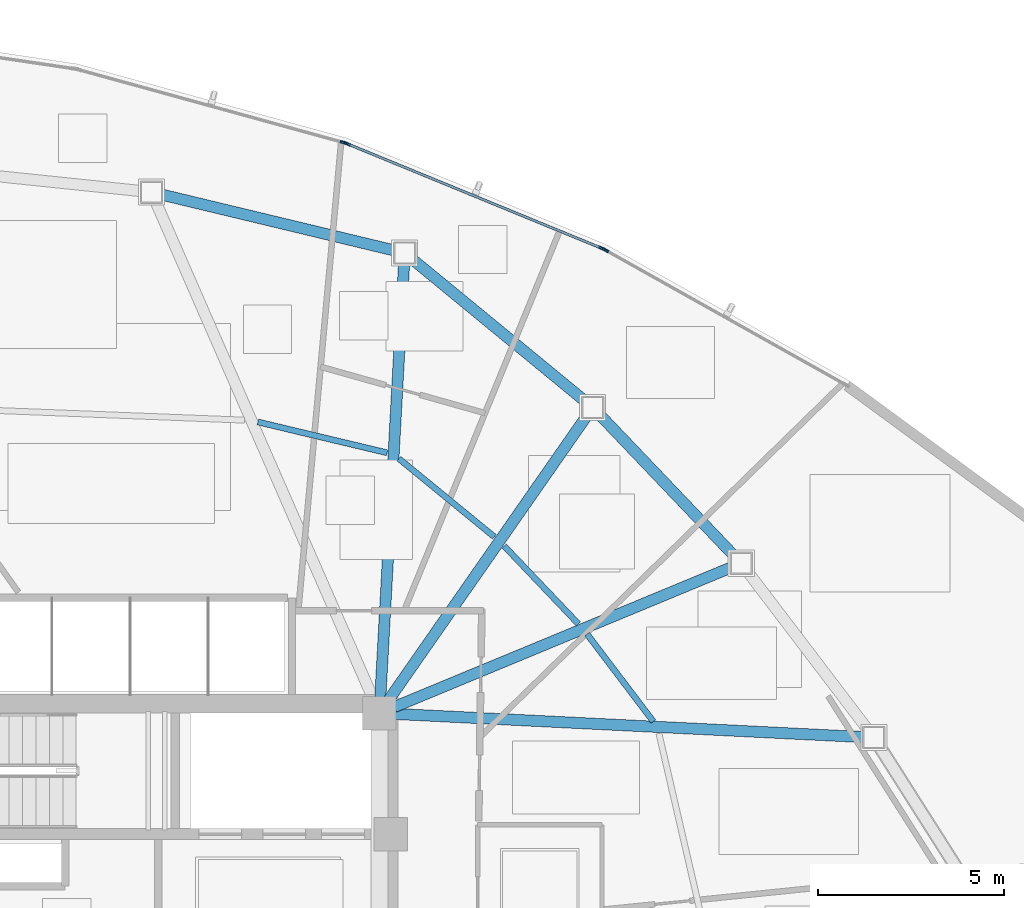
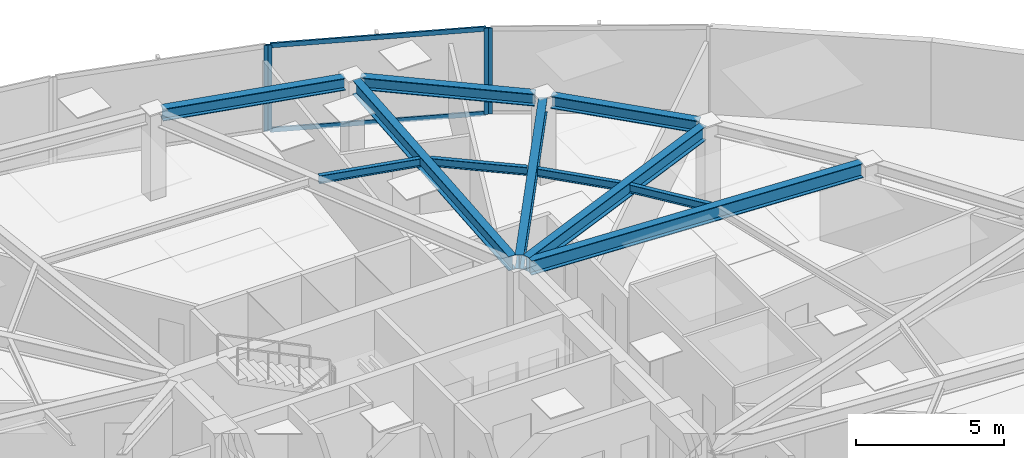
# One storey, part 8 of 18: 11 beams, 6 members, 3 elements without a shape of their own.
"""IFC4 building model written with IfcOpenShell, lengths in metres."""

from ifc_helpers import new_model, si_unit, direction, frame, origin, origin_2d, place, context, subcontext, project, spatial, hollow_rectangle, i_section, extrude, source, transform, mapped, material, layer, layer_set, material_profile, profile_set, type_object, type_shapes, element, aggregate, save


model = new_model("IFC4")

# Units and contexts
model_context = context("Model", 3, precision=1e-05, world=origin(), true_north=direction((0.0, 1.0)))
body_context = subcontext(model_context, "Body", "Model", "MODEL_VIEW")
ifc_project = project(units=[si_unit("LENGTHUNIT", "METRE"), si_unit("AREAUNIT", "SQUARE_METRE"), si_unit("VOLUMEUNIT", "CUBIC_METRE"), si_unit("PLANEANGLEUNIT", "RADIAN"), si_unit("MASSUNIT", "GRAM", prefix="KILO")], contexts=[model_context])

# Site, building, storey
site_placement = place(None, origin())
site = spatial("IfcSite", under=ifc_project, at=site_placement, CompositionType="ELEMENT")
building_placement = place(site_placement, origin())
building = spatial("IfcBuilding", under=site, at=building_placement, Name="Tavelor Broadcast Tower", CompositionType="ELEMENT")
storey_placement = place(building_placement, frame((0.0, 0.0, 177.199951171875)))
storey = spatial("IfcBuildingStorey", under=building, at=storey_placement, Name="L42", CompositionType="ELEMENT", Elevation=177.199951171875)

# Beams
ifc_material_1 = material(Name="Steel S355", Category="steel")
ifc_material_profile_1 = material_profile(ifc_material_1, i_section(OverallWidth=0.159912109375, OverallDepth=0.330078125, WebThickness=0.007568359375, FlangeThickness=0.011474609375, at=origin_2d()), Name="IPE 330")
ifc_profile_set_1 = profile_set([ifc_material_profile_1], Name="Steel S355")
beam_type_1 = type_object("IfcBeamType", Name="Composite Floor Joist T4 IPE 330", PredefinedType="JOIST", material=ifc_profile_set_1)
beam_1_placement = place(storey_placement, frame((63.959716796875, 50.9755859375, 3.385009765625), z_axis=(-0.604116162247, 0.796896268351, 0.0), x_axis=(-0.796896268351, -0.604116162247, 0.0)))
element("IfcBeam", 1, at=beam_1_placement, inside=storey, type_object=beam_type_1, Name="L42 Secondary Composite Floor Joist 14", PredefinedType="JOIST", context=body_context, shape_type="SweptSolid", body=[
    extrude(i_section(OverallWidth=0.159912109375, OverallDepth=0.330078125, WebThickness=0.007568359375, FlangeThickness=0.011474609375, at=origin_2d()), origin(), (0.0, 0.0, 1.0), 2.94580078125),
])
beam_2_placement = place(storey_placement, frame((61.946044921875, 53.59814453125, 3.385009765625), z_axis=(-0.689642531817, 0.724149969487, 0.0), x_axis=(-0.724149969487, -0.689642531817, 0.0)))
element("IfcBeam", 2, at=beam_2_placement, inside=storey, type_object=beam_type_1, Name="L42 Secondary Composite Floor Joist 15", PredefinedType="JOIST", context=body_context, shape_type="SweptSolid", body=[
    extrude(i_section(OverallWidth=0.159912109375, OverallDepth=0.330078125, WebThickness=0.007568359375, FlangeThickness=0.011474609375, at=origin_2d()), origin(), (0.0, 0.0, 1.0), 2.893798828125),
])
beam_3_placement = place(storey_placement, frame((59.685791015625, 55.939453125, 3.385009765625), z_axis=(-0.773655391446, 0.633606609251, 0.0), x_axis=(-0.633606609251, -0.773655391446, 0.0)))
element("IfcBeam", 3, at=beam_3_placement, inside=storey, type_object=beam_type_1, Name="L42 Secondary Composite Floor Joist 16", PredefinedType="JOIST", context=body_context, shape_type="SweptSolid", body=[
    extrude(i_section(OverallWidth=0.159912109375, OverallDepth=0.330078125, WebThickness=0.007568359375, FlangeThickness=0.011474609375, at=origin_2d()), origin(), (0.0, 0.0, 1.0), 3.315673828125),
])
beam_4_placement = place(storey_placement, frame((56.804443359375, 58.197021484375, 3.385009765625), z_axis=(-0.972674676245, 0.232172294196, 0.0), x_axis=(-0.232172294196, -0.972674676245, 0.0)))
element("IfcBeam", 4, at=beam_4_placement, inside=storey, type_object=beam_type_1, Name="L42 Secondary Composite Floor Joist 17", PredefinedType="JOIST", context=body_context, shape_type="SweptSolid", body=[
    extrude(i_section(OverallWidth=0.159912109375, OverallDepth=0.330078125, WebThickness=0.007568359375, FlangeThickness=0.011474609375, at=origin_2d()), origin(), (0.0, 0.0, 1.0), 3.56884765625),
])
ifc_material_profile_2 = material_profile(ifc_material_1, i_section(OverallWidth=0.300048828125, OverallDepth=0.5, WebThickness=0.014404296875, FlangeThickness=0.028076171875, at=origin_2d()), Name="HEB 500")
ifc_profile_set_2 = profile_set([ifc_material_profile_2], Name="Steel S355")
beam_type_2 = type_object("IfcBeamType", Name="Perimeter Spandrel Beam T4 HEB 500", PredefinedType="SPANDREL", material=ifc_profile_set_2)
beam_5_placement = place(storey_placement, frame((66.123291015625, 55.437255859375, 3.300048828125), z_axis=(-0.689936010055, 0.723870362723, 0.0), x_axis=(-0.723870362723, -0.689936010055, 0.0)))
element("IfcBeam", 5, at=beam_5_placement, inside=storey, type_object=beam_type_2, Name="L42 Framed-Tube Ring Spandrel 15", PredefinedType="SPANDREL", context=body_context, shape_type="SweptSolid", body=[
    extrude(i_section(OverallWidth=0.300048828125, OverallDepth=0.5, WebThickness=0.014404296875, FlangeThickness=0.028076171875, at=origin_2d()), origin(), (0.0, 0.0, 1.0), 5.208740234375),
])
beam_6_placement = place(storey_placement, frame((62.1083984375, 59.59912109375, 3.300048828125), z_axis=(-0.772717651191, 0.634749896839, 0.0), x_axis=(-0.634749896839, -0.772717651191, 0.0)))
element("IfcBeam", 6, at=beam_6_placement, inside=storey, type_object=beam_type_2, Name="L42 Framed-Tube Ring Spandrel 16", PredefinedType="SPANDREL", context=body_context, shape_type="SweptSolid", body=[
    extrude(i_section(OverallWidth=0.300048828125, OverallDepth=0.5, WebThickness=0.014404296875, FlangeThickness=0.028076171875, at=origin_2d()), origin(), (0.0, 0.0, 1.0), 5.965087890625),
])
beam_7_placement = place(storey_placement, frame((56.99658203125, 63.635498046875, 3.300048828125), z_axis=(-0.972354853411, 0.233508113452, 0.0), x_axis=(-0.233508113452, -0.972354853411, 0.0)))
element("IfcBeam", 7, at=beam_7_placement, inside=storey, type_object=beam_type_2, Name="L42 Framed-Tube Ring Spandrel 17", PredefinedType="SPANDREL", context=body_context, shape_type="SweptSolid", body=[
    extrude(i_section(OverallWidth=0.300048828125, OverallDepth=0.5, WebThickness=0.014404296875, FlangeThickness=0.028076171875, at=origin_2d()), origin(), (0.0, 0.0, 1.0), 6.421630859375),
])
ifc_material_profile_3 = material_profile(ifc_material_1, i_section(OverallWidth=0.300048828125, OverallDepth=0.590087890625, WebThickness=0.012939453125, FlangeThickness=0.02490234375, at=origin_2d()), Name="HEA 600")
ifc_profile_set_3 = profile_set([ifc_material_profile_3], Name="Steel S355")
beam_type_3 = type_object("IfcBeamType", Name="Radial Floor Girder T4 HEA 600", PredefinedType="BEAM", material=ifc_profile_set_3)
beam_8_placement = place(storey_placement, frame((57.031494140625, 51.1787109375, 3.255126953125), z_axis=(0.998783784198, -0.049304689662, 0.0), x_axis=(0.049304689662, 0.998783784198, 0.0)))
element("IfcBeam", 8, at=beam_8_placement, inside=storey, type_object=beam_type_3, Name="L42 Radial Primary Floor Girder 14", PredefinedType="BEAM", context=body_context, shape_type="SweptSolid", body=[
    extrude(i_section(OverallWidth=0.300048828125, OverallDepth=0.590087890625, WebThickness=0.012939453125, FlangeThickness=0.02490234375, at=origin_2d()), origin(), (0.0, 0.0, 1.0), 12.582275390625),
])
beam_9_placement = place(storey_placement, frame((56.9990234375, 51.365478515625, 3.255126953125), z_axis=(0.923827405628, 0.38280925356, 0.0), x_axis=(-0.38280925356, 0.923827405628, 0.0)))
element("IfcBeam", 9, at=beam_9_placement, inside=storey, type_object=beam_type_3, Name="L42 Radial Primary Floor Girder 15", PredefinedType="BEAM", context=body_context, shape_type="SweptSolid", body=[
    extrude(i_section(OverallWidth=0.300048828125, OverallDepth=0.590087890625, WebThickness=0.012939453125, FlangeThickness=0.02490234375, at=origin_2d()), origin(), (0.0, 0.0, 1.0), 9.8037109375),
])
beam_10_placement = place(storey_placement, frame((56.84716796875, 51.55419921875, 3.255126953125), z_axis=(0.572078083908, 0.820199162346, 0.0), x_axis=(-0.820199162346, 0.572078083908, 0.0)))
element("IfcBeam", 10, at=beam_10_placement, inside=storey, type_object=beam_type_3, Name="L42 Radial Primary Floor Girder 16", PredefinedType="BEAM", context=body_context, shape_type="SweptSolid", body=[
    extrude(i_section(OverallWidth=0.300048828125, OverallDepth=0.590087890625, WebThickness=0.012939453125, FlangeThickness=0.02490234375, at=origin_2d()), origin(), (0.0, 0.0, 1.0), 9.29736328125),
])
beam_11_placement = place(storey_placement, frame((56.62353515625, 51.63134765625, 3.255126953125), z_axis=(0.054637852805, 0.998506236856, 0.0), x_axis=(-0.998506236856, 0.054637852805, 0.0)))
element("IfcBeam", 11, at=beam_11_placement, inside=storey, type_object=beam_type_3, Name="L42 Radial Primary Floor Girder 17", PredefinedType="BEAM", context=body_context, shape_type="SweptSolid", body=[
    extrude(i_section(OverallWidth=0.300048828125, OverallDepth=0.590087890625, WebThickness=0.012939453125, FlangeThickness=0.02490234375, at=origin_2d()), origin(), (0.0, 0.0, 1.0), 11.666748046875),
])

# Curtain wall, member
ifc_material_2 = material(Name="Architectural Anodized Aluminium", Category="aluminium")
ifc_layer = layer(ifc_material_2, 0.18994140625)
ifc_layer_set = layer_set([ifc_layer], Name="Architectural Anodized Aluminium")
curtain_wall_type = type_object("IfcCurtainWallType", Name="Tower Mid-Zone Acoustic Curtain Wall CW03", PredefinedType="NOTDEFINED", material=ifc_layer_set)
curtain_wall_1_placement = place(storey_placement, origin())
curtain_wall_1 = element("IfcCurtainWall", 12, at=curtain_wall_1_placement, inside=storey, type_object=curtain_wall_type, Name="L42 Curtain Wall CW03 Run 453", PredefinedType="NOTDEFINED")
ifc_material_profile_4 = material_profile(ifc_material_2, hollow_rectangle(XDim=0.068115234375, YDim=0.18994140625, WallThickness=0.02197265625, at=origin_2d()), Name="RHS 68x190x22")
ifc_profile_set_4 = profile_set([ifc_material_profile_4], Name="Architectural Anodized Aluminium")
member_type_1 = type_object("IfcMemberType", Name="CW03 Extruded Aluminium Mullion 68x190", PredefinedType="MULLION", material=ifc_profile_set_4)
shared_shape_1 = source(origin(), body_context, "Body", "SweptSolid", [
    extrude(hollow_rectangle(XDim=0.068115234375, YDim=0.18994140625, WallThickness=0.02197265625, at=origin_2d()), origin(), (0.0, 0.0, 1.0), 3.550048828125),
])
type_shapes(member_type_1, [shared_shape_1])
member_1_placement = place(storey_placement, frame((62.6689453125, 63.6474609375, 0.0), z_axis=(0.0, 0.0, 1.0), x_axis=(-0.489007457549, -0.872279603374, 0.0)))
member_1 = element("IfcMember", 13, at=member_1_placement, type_object=member_type_1, Name="CW03 mullion 2", PredefinedType="MULLION", context=body_context, shape_type="MappedRepresentation", body=[
    mapped(shared_shape_1, transform((0.0, 0.0, 0.0), scale=1.0)),
])
aggregate(curtain_wall_1, [member_1])

# Curtain wall, members
curtain_wall_2_placement = place(storey_placement, origin())
curtain_wall_2 = element("IfcCurtainWall", 14, at=curtain_wall_2_placement, inside=storey, type_object=curtain_wall_type, Name="L42 Curtain Wall CW03 Run 454", PredefinedType="NOTDEFINED")
member_2_placement = place(storey_placement, frame((62.580810546875, 63.68994140625, 0.0), z_axis=(0.0, 0.0, 1.0), x_axis=(-0.379854663388, -0.925046179767, 0.0)))
member_2 = element("IfcMember", 15, at=member_2_placement, type_object=member_type_1, Name="CW03 mullion 1", PredefinedType="MULLION", context=body_context, shape_type="MappedRepresentation", body=[
    mapped(shared_shape_1, transform((0.0, 0.0, 0.0), scale=1.0)),
])
member_3_placement = place(storey_placement, frame((55.7294921875, 66.50341796875, 0.0), z_axis=(0.0, 0.0, 1.0), x_axis=(-0.379854663388, -0.925046179767, 0.0)))
member_3 = element("IfcMember", 16, at=member_3_placement, type_object=member_type_1, Name="CW03 mullion 2", PredefinedType="MULLION", context=body_context, shape_type="MappedRepresentation", body=[
    mapped(shared_shape_1, transform((0.0, 0.0, 0.0), scale=1.0)),
])

# Curtain wall, member
curtain_wall_3_placement = place(storey_placement, origin())
curtain_wall_3 = element("IfcCurtainWall", 17, at=curtain_wall_3_placement, inside=storey, type_object=curtain_wall_type, Name="L42 Curtain Wall CW03 Run 455", PredefinedType="NOTDEFINED")
member_4_placement = place(storey_placement, frame((55.636962890625, 66.534912109375, 0.0), z_axis=(0.0, 0.0, 1.0), x_axis=(-0.265128496952, -0.964213088536, 0.0)))
member_4 = element("IfcMember", 18, at=member_4_placement, type_object=member_type_1, Name="CW03 mullion 1", PredefinedType="MULLION", context=body_context, shape_type="MappedRepresentation", body=[
    mapped(shared_shape_1, transform((0.0, 0.0, 0.0), scale=1.0)),
])
aggregate(curtain_wall_3, [member_4])

# Member
ifc_material_profile_5 = material_profile(ifc_material_2, hollow_rectangle(XDim=0.068115234375, YDim=0.18994140625, WallThickness=0.02197265625, at=origin_2d()), Name="RHS 68x190x22")
ifc_profile_set_5 = profile_set([ifc_material_profile_5], Name="Architectural Anodized Aluminium")
member_type_2 = type_object("IfcMemberType", Name="CW03 Extruded Aluminium Transom 68x190", PredefinedType="USERDEFINED", material=ifc_profile_set_5)
shared_shape_2 = source(origin(), body_context, "Body", "SweptSolid", [
    extrude(hollow_rectangle(XDim=0.068115234375, YDim=0.18994140625, WallThickness=0.02197265625, at=origin_2d()), origin(), (0.0, 0.0, 1.0), 7.33837890625),
])
type_shapes(member_type_2, [shared_shape_2])
member_5_placement = place(storey_placement, frame((62.54931640625, 63.702880859375, 0.033935546875), z_axis=(-0.925042156424, 0.379864461142, 0.0), x_axis=(-0.379864461142, -0.925042156424, 0.0)))
member_5 = element("IfcMember", 19, at=member_5_placement, type_object=member_type_2, Name="CW03 transom 1.1", ObjectType="TRANSOM", PredefinedType="USERDEFINED", context=body_context, shape_type="MappedRepresentation", body=[
    mapped(shared_shape_2, transform((0.0, 0.0, 0.0), scale=1.0)),
])

member_6_placement = place(storey_placement, frame((62.54931640625, 63.702880859375, 3.51611328125), z_axis=(-0.925042156424, 0.379864461142, 0.0), x_axis=(-0.379864461142, -0.925042156424, 0.0)))
member_6 = element("IfcMember", 20, at=member_6_placement, type_object=member_type_2, Name="CW03 transom 1.2", ObjectType="TRANSOM", PredefinedType="USERDEFINED", context=body_context, shape_type="MappedRepresentation", body=[
    mapped(shared_shape_2, transform((0.0, 0.0, 0.0), scale=1.0)),
])

aggregate(curtain_wall_2, [member_2, member_3, member_5, member_6])

save(model, "model.ifc")
